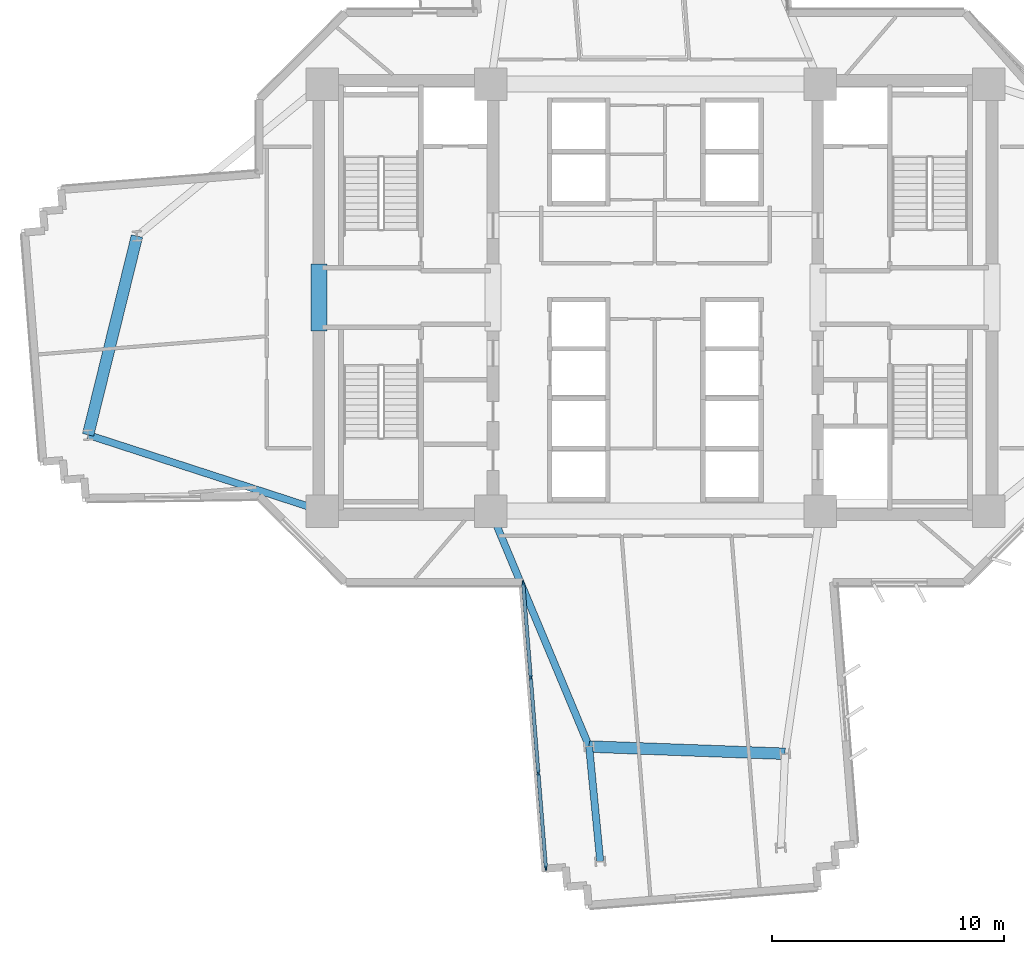
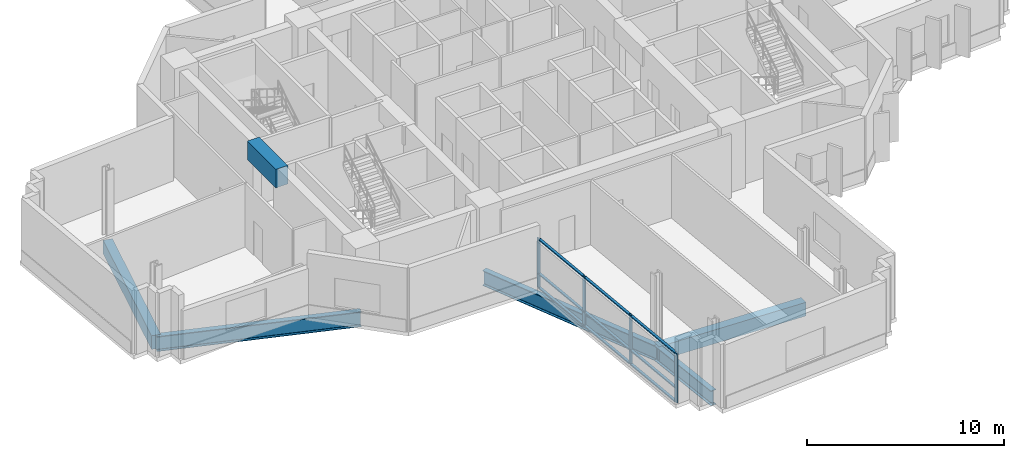
# One storey, part 2 of 15: 13 members, 6 beams, 1 element without a shape of its own.
"""IFC4 building model written with IfcOpenShell, lengths in metres."""

import ifcopenshell
import ifcopenshell.guid

model = None  # the IFC model being written
_history = None  # IfcOwnerHistory: only IFC2X3 demands one
_inside = {}  # id of a spatial element -> (the spatial element, [elements in it])
_under = {}  # id of a project, library or spatial element -> (it, [spatial elements below it])
_declared = {}  # id of a project -> (the project, [libraries it declares])
_typed = {}  # id of a type object -> (the type object, [elements of that type])
_made_of = {}  # id of a material, layer set ... -> (it, [elements and type objects made of it])


def new_model(schema):
    """Start an empty IFC model of exactly this schema.

    Asked for "IFC4X3", IfcOpenShell would pick the latest addendum, in which some entities
    have other attributes; the version numbers below select the first issue.
    IFC2X3 requires an IfcOwnerHistory on every rooted entity: one is made here for all.
    """
    global model, _history
    if schema == "IFC4X3":
        model = ifcopenshell.file(schema_version=(4, 3, 0, 0))
    else:
        model = ifcopenshell.file(schema=schema)
    _inside.clear()
    _under.clear()
    _declared.clear()
    _typed.clear()
    _made_of.clear()
    _history = None
    if model.schema == "IFC2X3":
        org = make("IfcOrganization", Name="unknown")
        user = make(
            "IfcPersonAndOrganization",
            ThePerson=make("IfcPerson", FamilyName="unknown"),
            TheOrganization=org,
        )
        app = make(
            "IfcApplication",
            ApplicationDeveloper=org,
            Version="unknown",
            ApplicationFullName="unknown",
            ApplicationIdentifier="unknown",
        )
        _history = make(
            "IfcOwnerHistory",
            OwningUser=user,
            OwningApplication=app,
            ChangeAction="ADDED",
            CreationDate=0,
        )
    return model


def make(cls, **values):
    """One entity of the class cls with the attributes given. An attribute that is None is left unset."""
    return model.create_entity(
        cls, **{name: value for name, value in values.items() if value is not None}
    )


def rooted(cls, **values):
    """An entity with a GlobalId (a new one), such as an element, a storey or a relation."""
    return make(cls, GlobalId=ifcopenshell.guid.new(), OwnerHistory=_history, **values)


def si_unit(unit_type, name, prefix=None):
    """IfcSIUnit, for example si_unit("LENGTHUNIT", "METRE", prefix="MILLI")."""
    return make("IfcSIUnit", UnitType=unit_type, Prefix=prefix, Name=name)


def assignment(units):
    """IfcUnitAssignment: the units of a project."""
    return None if units is None else make("IfcUnitAssignment", Units=units)


def point(xyz):
    """IfcCartesianPoint."""
    return None if xyz is None else make("IfcCartesianPoint", Coordinates=xyz)


def direction(xyz):
    """IfcDirection."""
    return None if xyz is None else make("IfcDirection", DirectionRatios=xyz)


def frame(location, z_axis=None, x_axis=None):
    """IfcAxis2Placement3D, a coordinate frame: its origin and axes. An axis left out is left unset."""
    return make(
        "IfcAxis2Placement3D",
        Location=point(location),
        Axis=direction(z_axis),
        RefDirection=direction(x_axis),
    )


def frame_2d(location, x_axis=None):
    """IfcAxis2Placement2D, a coordinate frame in the plane: its origin and x axis."""
    return make(
        "IfcAxis2Placement2D", Location=point(location), RefDirection=direction(x_axis)
    )


def origin():
    """The frame at (0, 0, 0) with its axes left unset."""
    return frame((0.0, 0.0, 0.0))


def origin_2d():
    """The frame at (0, 0) in the plane with its x axis left unset."""
    return frame_2d((0.0, 0.0))


def place(relative_to, where):
    """IfcLocalPlacement: puts the frame where relative to a parent placement (None: the world)."""
    return make(
        "IfcLocalPlacement", PlacementRelTo=relative_to, RelativePlacement=where
    )


def context(
    kind, dimensions, precision=None, world=None, true_north=None, identifier=None
):
    """IfcGeometricRepresentationContext, for example the 3D "Model" context."""
    return make(
        "IfcGeometricRepresentationContext",
        ContextIdentifier=identifier,
        ContextType=kind,
        CoordinateSpaceDimension=dimensions,
        Precision=precision,
        WorldCoordinateSystem=world,
        TrueNorth=true_north,
    )


def subcontext(parent, identifier, kind, view, scale=None):
    """IfcGeometricRepresentationSubContext, for example "Body" below "Model"."""
    return make(
        "IfcGeometricRepresentationSubContext",
        ContextIdentifier=identifier,
        ContextType=kind,
        ParentContext=parent,
        TargetScale=scale,
        TargetView=view,
    )


def project(units=None, contexts=None):
    """IfcProject with its units and contexts."""
    return rooted(
        "IfcProject",
        Name="project",
        RepresentationContexts=contexts,
        UnitsInContext=assignment(units),
    )


def spatial(cls, under=None, at=None, **own):
    """A site, building, storey or space (cls), placed at a placement, below another one or the project."""
    s = rooted(cls, ObjectPlacement=at, **own)
    if under is not None:
        _under.setdefault(under.id(), (under, []))[1].append(s)
    return s


def profile(cls, at=None, kind="AREA", **sizes):
    """A parametric profile (cls). Its sizes go by their IFC names, for example OverallWidth=200.0."""
    return make(cls, ProfileType=kind, Position=at, **sizes)


def rectangle(**sizes):
    """IfcRectangleProfileDef."""
    return profile("IfcRectangleProfileDef", **sizes)


def i_section(**sizes):
    """IfcIShapeProfileDef."""
    return profile("IfcIShapeProfileDef", **sizes)


def extrude(swept, where, along, depth):
    """IfcExtrudedAreaSolid: the profile swept, set in the frame where, extruded along a direction by depth."""
    return make(
        "IfcExtrudedAreaSolid",
        SweptArea=swept,
        Position=where,
        ExtrudedDirection=direction(along),
        Depth=depth,
    )


def shape(context_of_items, identifier, shape_type, items):
    """IfcShapeRepresentation: the items that make up one representation, for example the "Body"."""
    return make(
        "IfcShapeRepresentation",
        ContextOfItems=context_of_items,
        RepresentationIdentifier=identifier,
        RepresentationType=shape_type,
        Items=items,
    )


def source(mapping_origin, context_of_items, identifier, shape_type, items):
    """IfcRepresentationMap: a shape defined once, which mapped items show again and again."""
    return make(
        "IfcRepresentationMap",
        MappingOrigin=mapping_origin,
        MappedRepresentation=shape(context_of_items, identifier, shape_type, items),
    )


def transform(
    local_origin,
    x_axis=None,
    y_axis=None,
    z_axis=None,
    scale=None,
    scale2=None,
    scale3=None,
    uniform=True,
):
    """IfcCartesianTransformationOperator3D, or its non-uniform kind. x_axis, y_axis, z_axis: its Axis1, 2, 3."""
    if uniform:
        return make(
            "IfcCartesianTransformationOperator3D",
            Axis1=direction(x_axis),
            Axis2=direction(y_axis),
            LocalOrigin=point(local_origin),
            Scale=scale,
            Axis3=direction(z_axis),
        )
    return make(
        "IfcCartesianTransformationOperator3DnonUniform",
        Axis1=direction(x_axis),
        Axis2=direction(y_axis),
        LocalOrigin=point(local_origin),
        Scale=scale,
        Axis3=direction(z_axis),
        Scale2=scale2,
        Scale3=scale3,
    )


def mapped(mapping_source, mapping_target):
    """IfcMappedItem: shows the shape of a source again, moved by a transform."""
    return make(
        "IfcMappedItem", MappingSource=mapping_source, MappingTarget=mapping_target
    )


def material(Name=None, Category=None):
    """IfcMaterial."""
    return make("IfcMaterial", Name=Name, Category=Category)


def layer(
    of_material, thickness, ventilated=None, Name=None, Category=None, Priority=None
):
    """IfcMaterialLayer: one layer of a wall or slab, of a material (None: an air gap)."""
    return make(
        "IfcMaterialLayer",
        Material=of_material,
        LayerThickness=thickness,
        IsVentilated=ventilated,
        Name=Name,
        Category=Category,
        Priority=Priority,
    )


def layer_set(layers, Name=None):
    """IfcMaterialLayerSet."""
    return make("IfcMaterialLayerSet", MaterialLayers=layers, LayerSetName=Name)


def material_profile(
    of_material, cross_section, Name=None, Category=None, Priority=None
):
    """IfcMaterialProfile: a cross section and its material."""
    return make(
        "IfcMaterialProfile",
        Name=Name,
        Material=of_material,
        Profile=cross_section,
        Priority=Priority,
        Category=Category,
    )


def profile_set(profiles, Name=None, composite=None):
    """IfcMaterialProfileSet."""
    return make(
        "IfcMaterialProfileSet",
        Name=Name,
        MaterialProfiles=profiles,
        CompositeProfile=composite,
    )


def made_of(thing, what):
    """Note that an element or type object is made of a material, layer set ...; save() writes the relation."""
    if what is not None:
        _made_of.setdefault(what.id(), (what, []))[1].append(thing)
    return thing


def type_object(cls, material=None, **own):
    """A type object (cls), such as IfcWallType, which elements share."""
    return made_of(rooted(cls, **own), material)


def element(
    cls,
    number,
    at=None,
    inside=None,
    cuts=None,
    type_object=None,
    material=None,
    context=None,
    identifier="Body",
    shape_type=None,
    held_by="IfcProductDefinitionShape",
    body=None,
    shapes=None,
    **own,
):
    """One element of the class cls, such as IfcWall. Its Tag is "e" and its number.

    at: its placement. inside: the storey or other place that contains it. cuts: it is an
    opening in that element (IfcRelVoidsElement). A single representation is given by context,
    identifier, shape_type and body (its items); several are given by shapes. held_by: the class
    of the entity that holds the representations. save() writes the other relations.
    """
    e = rooted(cls, Tag="e%d" % number, ObjectPlacement=at, **own)
    if body is not None:
        shapes = [shape(context, identifier, shape_type, body)]
    if shapes is not None:
        e.Representation = make(held_by, Representations=shapes)
    if inside is not None:
        _inside.setdefault(inside.id(), (inside, []))[1].append(e)
    if cuts is not None:
        rooted(
            "IfcRelVoidsElement", RelatingBuildingElement=cuts, RelatedOpeningElement=e
        )
    if type_object is not None:
        _typed.setdefault(type_object.id(), (type_object, []))[1].append(e)
    return made_of(e, material)


def aggregate(whole, parts):
    """IfcRelAggregates: a whole, such as a stair, and the parts it consists of."""
    return rooted("IfcRelAggregates", RelatingObject=whole, RelatedObjects=parts)


def save(model, path):
    """Write the relations noted so far, then the file.

    IfcRelAggregates (storeys below a building ...), IfcRelContainedInSpatialStructure (elements
    in a storey), IfcRelDefinesByType, IfcRelAssociatesMaterial and IfcRelDeclares: one each for
    every whole, place, type object, material and project.
    """
    for whole, parts in _under.values():
        aggregate(whole, parts)
    for where, things in _inside.values():
        rooted(
            "IfcRelContainedInSpatialStructure",
            RelatedElements=things,
            RelatingStructure=where,
        )
    for kind, things in _typed.values():
        rooted("IfcRelDefinesByType", RelatedObjects=things, RelatingType=kind)
    for what, things in _made_of.values():
        rooted("IfcRelAssociatesMaterial", RelatedObjects=things, RelatingMaterial=what)
    for by, libraries in _declared.values():
        rooted("IfcRelDeclares", RelatingContext=by, RelatedDefinitions=libraries)
    model.write(path)


model = new_model("IFC4")

# Units and contexts
model_context = context("Model", 3, precision=1e-05, world=origin(), true_north=direction((0.0, 1.0)))
body_context = subcontext(model_context, "Body", "Model", "MODEL_VIEW")
ifc_project = project(units=[si_unit("LENGTHUNIT", "METRE"), si_unit("AREAUNIT", "SQUARE_METRE"), si_unit("VOLUMEUNIT", "CUBIC_METRE"), si_unit("PLANEANGLEUNIT", "RADIAN"), si_unit("MASSUNIT", "GRAM", prefix="KILO")], contexts=[model_context])

# Site, building, storey
site_placement = place(None, origin())
site = spatial("IfcSite", under=ifc_project, at=site_placement, CompositionType="ELEMENT")
building_placement = place(site_placement, origin())
building = spatial("IfcBuilding", under=site, at=building_placement, Name="Zahravan Cultural Tower", CompositionType="ELEMENT")
storey_placement = place(building_placement, frame((0.0, 0.0, 83.699951171875)))
storey = spatial("IfcBuildingStorey", under=building, at=storey_placement, Name="L18", CompositionType="ELEMENT", Elevation=83.699951171875)

# Beams
ifc_material_1 = material(Name="Concrete C50/60", Category="concrete")
ifc_material_profile_1 = material_profile(ifc_material_1, rectangle(XDim=0.699951171875, YDim=1.14990234375, at=origin_2d()), Name="RC700X1150")
ifc_profile_set_1 = profile_set([ifc_material_profile_1], Name="Concrete C50/60")
beam_type_1 = type_object("IfcBeamType", Name="BM-LN-RC700X1150", PredefinedType="LINTEL", material=ifc_profile_set_1)
shared_shape_1 = source(origin(), body_context, "Body", "SweptSolid", [
    extrude(rectangle(XDim=0.699951171875, YDim=1.14990234375, at=origin_2d()), origin(), (0.0, 0.0, 1.0), 2.89990234375),
])
beam_1_placement = place(storey_placement, frame((21.5, 25.550048828125, 3.375), z_axis=(0.0, 1.0, 0.0), x_axis=(-1.0, 0.0, 0.0)))
element("IfcBeam", 1, at=beam_1_placement, inside=storey, type_object=beam_type_1, Name="L18 Beam LN-L18-PWW", PredefinedType="LINTEL", context=body_context, shape_type="MappedRepresentation", body=[
    mapped(shared_shape_1, transform((0.0, 0.0, 0.0), x_axis=(1.0, 0.0, 0.0), y_axis=(0.0, 1.0, 0.0), z_axis=(0.0, 0.0, 1.0), scale=1.0)),
])
ifc_material_2 = material(Name="Steel ASTM A992 Grade 50", Category="steel")
ifc_material_profile_2 = material_profile(ifc_material_2, i_section(OverallWidth=0.30908203125, OverallDepth=0.931884765625, WebThickness=0.02099609375, FlangeThickness=0.034423828125, FilletRadius=0.02392578125, at=origin_2d()), Name="W36X210")
ifc_profile_set_2 = profile_set([ifc_material_profile_2], Name="Steel ASTM A992 Grade 50")
beam_type_2 = type_object("IfcBeamType", Name="BM-G-W36X210", PredefinedType="BEAM", material=ifc_profile_set_2)
shared_shape_2 = source(origin(), body_context, "Body", "SweptSolid", [
    extrude(i_section(OverallWidth=0.30908203125, OverallDepth=0.931884765625, WebThickness=0.02099609375, FlangeThickness=0.034423828125, FilletRadius=0.02392578125, at=origin_2d()), origin(), (0.0, 0.0, 1.0), 10.615966796875),
])
beam_2_placement = place(storey_placement, frame((21.64990234375, 17.800048828125, -0.716064453125), z_axis=(-0.951063640083, 0.30899506875, 0.0), x_axis=(-0.30899506875, -0.951063640083, 0.0)))
element("IfcBeam", 2, at=beam_2_placement, inside=storey, type_object=beam_type_2, Name="L18 Beam BG-L18-07", PredefinedType="BEAM", context=body_context, shape_type="MappedRepresentation", body=[
    mapped(shared_shape_2, transform((0.0, 0.0, 0.0), x_axis=(1.0, 0.0, 0.0), y_axis=(0.0, 1.0, 0.0), z_axis=(0.0, 0.0, 1.0), scale=1.0)),
])
shared_shape_3 = source(origin(), body_context, "Body", "SweptSolid", [
    extrude(i_section(OverallWidth=0.30908203125, OverallDepth=0.931884765625, WebThickness=0.02099609375, FlangeThickness=0.034423828125, FilletRadius=0.02392578125, at=origin_2d()), origin(), (0.0, 0.0, 1.0), 10.997802734375),
])
beam_3_placement = place(storey_placement, frame((28.89990234375, 17.800048828125, -0.716064453125), z_axis=(0.385775211449, -0.922592806297, 0.0), x_axis=(0.922592806297, 0.385775211449, 0.0)))
element("IfcBeam", 3, at=beam_3_placement, inside=storey, type_object=beam_type_2, Name="L18 Beam BG-L18-08", PredefinedType="BEAM", context=body_context, shape_type="MappedRepresentation", body=[
    mapped(shared_shape_3, transform((0.0, 0.0, 0.0), x_axis=(1.0, 0.0, 0.0), y_axis=(0.0, 1.0, 0.0), z_axis=(0.0, 0.0, 1.0), scale=1.0)),
])
shared_shape_4 = source(origin(), body_context, "Body", "SweptSolid", [
    extrude(i_section(OverallWidth=0.30908203125, OverallDepth=0.931884765625, WebThickness=0.02099609375, FlangeThickness=0.034423828125, FilletRadius=0.02392578125, at=origin_2d()), origin(), (0.0, 0.0, 1.0), 4.973876953125),
])
beam_4_placement = place(storey_placement, frame((33.142578125, 7.653564453125, -0.716064453125), z_axis=(0.096154779131, -0.995366394073, 0.0), x_axis=(0.995366394073, 0.096154779131, 0.0)))
element("IfcBeam", 4, at=beam_4_placement, inside=storey, type_object=beam_type_2, Name="L18 Beam BG-L18-17", PredefinedType="BEAM", context=body_context, shape_type="MappedRepresentation", body=[
    mapped(shared_shape_4, transform((0.0, 0.0, 0.0), x_axis=(1.0, 0.0, 0.0), y_axis=(0.0, 1.0, 0.0), z_axis=(0.0, 0.0, 1.0), scale=1.0)),
])
ifc_material_profile_3 = material_profile(ifc_material_1, rectangle(XDim=0.5, YDim=0.85009765625, at=origin_2d()), Name="RC500X850")
ifc_profile_set_3 = profile_set([ifc_material_profile_3], Name="Concrete C50/60")
beam_type_3 = type_object("IfcBeamType", Name="BM-SP-RC500X850", PredefinedType="SPANDREL", material=ifc_profile_set_3)
shared_shape_5 = source(origin(), body_context, "Body", "SweptSolid", [
    extrude(rectangle(XDim=0.5, YDim=0.85009765625, at=origin_2d()), origin(), (0.0, 0.0, 1.0), 8.4482421875),
])
beam_5_placement = place(storey_placement, frame((33.142578125, 7.653564453125, -0.675048828125), z_axis=(0.999318826256, -0.036903705643, 0.0), x_axis=(0.036903705643, 0.999318826256, 0.0)))
element("IfcBeam", 5, at=beam_5_placement, inside=storey, type_object=beam_type_3, Name="L18 Beam SP-L18-19", PredefinedType="SPANDREL", context=body_context, shape_type="MappedRepresentation", body=[
    mapped(shared_shape_5, transform((0.0, 0.0, 0.0), x_axis=(1.0, 0.0, 0.0), y_axis=(0.0, 1.0, 0.0), z_axis=(0.0, 0.0, 1.0), scale=1.0)),
])
shared_shape_6 = source(origin(), body_context, "Body", "SweptSolid", [
    extrude(rectangle(XDim=0.5, YDim=0.85009765625, at=origin_2d()), origin(), (0.0, 0.0, 1.0), 8.8232421875),
])
beam_6_placement = place(storey_placement, frame((13.660888671875, 29.648193359375, -0.675048828125), z_axis=(-0.238848860516, -0.971056755206, 0.0), x_axis=(0.971056755206, -0.238848860516, 0.0)))
element("IfcBeam", 6, at=beam_6_placement, inside=storey, type_object=beam_type_3, Name="L18 Beam SP-L18-22", PredefinedType="SPANDREL", context=body_context, shape_type="MappedRepresentation", body=[
    mapped(shared_shape_6, transform((0.0, 0.0, 0.0), x_axis=(1.0, 0.0, 0.0), y_axis=(0.0, 1.0, 0.0), z_axis=(0.0, 0.0, 1.0), scale=1.0)),
])

# Curtain wall, members
ifc_material_3 = material(Name="Anodised bronze-aluminium mullion", Category="aluminium")
ifc_layer = layer(ifc_material_3, 0.199951171875)
ifc_layer_set = layer_set([ifc_layer], Name="Anodised bronze-aluminium mullion")
curtain_wall_type = type_object("IfcCurtainWallType", Name="CW-SYS-2", PredefinedType="USERDEFINED", material=ifc_layer_set)
curtain_wall_placement = place(storey_placement, origin())
curtain_wall = element("IfcCurtainWall", 7, at=curtain_wall_placement, inside=storey, type_object=curtain_wall_type, Name="L18 Recessed Curtain Wall CW-2.1", ObjectType="RECESSED GLAZING", PredefinedType="USERDEFINED")
ifc_material_profile_4 = material_profile(ifc_material_3, rectangle(XDim=0.074951171875, YDim=0.199951171875, at=origin_2d()), Name="AL-M75X200")
ifc_profile_set_4 = profile_set([ifc_material_profile_4], Name="Anodised bronze-aluminium mullion")
member_type_1 = type_object("IfcMemberType", Name="CWM-CW-2", PredefinedType="MULLION", material=ifc_profile_set_4)
shared_shape_7 = source(origin(), body_context, "Body", "SweptSolid", [
    extrude(rectangle(XDim=0.074951171875, YDim=0.199951171875, at=origin_2d()), origin(), (0.0, 0.0, 1.0), 3.070068359375),
])
member_1_placement = place(storey_placement, frame((31.27880859375, 2.42431640625, 0.0), z_axis=(0.0, 0.0, 1.0), x_axis=(-0.996834749139, -0.079501464817, 0.0)))
member_1 = element("IfcMember", 8, at=member_1_placement, type_object=member_type_1, Name="CW-2 mullion 1", PredefinedType="MULLION", context=body_context, shape_type="MappedRepresentation", body=[
    mapped(shared_shape_7, transform((0.0, 0.0, 0.0), x_axis=(1.0, 0.0, 0.0), y_axis=(0.0, 1.0, 0.0), z_axis=(0.0, 0.0, 1.0), scale=1.0)),
])
member_2_placement = place(storey_placement, frame((30.953369140625, 6.504638671875, 0.0), z_axis=(0.0, 0.0, 1.0), x_axis=(-0.996834749139, -0.079501464817, 0.0)))
member_2 = element("IfcMember", 9, at=member_2_placement, type_object=member_type_1, Name="CW-2 mullion 2", PredefinedType="MULLION", context=body_context, shape_type="MappedRepresentation", body=[
    mapped(shared_shape_7, transform((0.0, 0.0, 0.0), x_axis=(1.0, 0.0, 0.0), y_axis=(0.0, 1.0, 0.0), z_axis=(0.0, 0.0, 1.0), scale=1.0)),
])
member_3_placement = place(storey_placement, frame((30.625, 10.622314453125, 0.0), z_axis=(0.0, 0.0, 1.0), x_axis=(-0.996834749139, -0.079501464817, 0.0)))
member_3 = element("IfcMember", 10, at=member_3_placement, type_object=member_type_1, Name="CW-2 mullion 3", PredefinedType="MULLION", context=body_context, shape_type="MappedRepresentation", body=[
    mapped(shared_shape_7, transform((0.0, 0.0, 0.0), x_axis=(1.0, 0.0, 0.0), y_axis=(0.0, 1.0, 0.0), z_axis=(0.0, 0.0, 1.0), scale=1.0)),
])
member_4_placement = place(storey_placement, frame((30.299560546875, 14.70263671875, 0.0), z_axis=(0.0, 0.0, 1.0), x_axis=(-0.996834749139, -0.079501464817, 0.0)))
member_4 = element("IfcMember", 11, at=member_4_placement, type_object=member_type_1, Name="CW-2 mullion 4", PredefinedType="MULLION", context=body_context, shape_type="MappedRepresentation", body=[
    mapped(shared_shape_7, transform((0.0, 0.0, 0.0), x_axis=(1.0, 0.0, 0.0), y_axis=(0.0, 1.0, 0.0), z_axis=(0.0, 0.0, 1.0), scale=1.0)),
])
ifc_material_profile_5 = material_profile(ifc_material_3, rectangle(XDim=0.14990234375, YDim=0.074951171875, at=origin_2d()), Name="AL-T75X150")
ifc_profile_set_5 = profile_set([ifc_material_profile_5], Name="Anodised bronze-aluminium mullion")
member_type_2 = type_object("IfcMemberType", Name="CWT-CW-2", PredefinedType="USERDEFINED", material=ifc_profile_set_5)
shared_shape_8 = source(origin(), body_context, "Body", "SweptSolid", [
    extrude(rectangle(XDim=0.14990234375, YDim=0.074951171875, at=origin_2d()), origin(), (0.0, 0.0, 1.0), 4.018310546875),
])
member_5_placement = place(storey_placement, frame((31.27587890625, 2.461669921875, 0.03759765625), z_axis=(-0.079530302643, 0.99683244879, 0.0), x_axis=(-0.99683244879, -0.079530302643, 0.0)))
member_5 = element("IfcMember", 12, at=member_5_placement, type_object=member_type_2, Name="CW-2 transom 1.1", ObjectType="TRANSOM", PredefinedType="USERDEFINED", context=body_context, shape_type="MappedRepresentation", body=[
    mapped(shared_shape_8, transform((0.0, 0.0, 0.0), x_axis=(1.0, 0.0, 0.0), y_axis=(0.0, 1.0, 0.0), z_axis=(0.0, 0.0, 1.0), scale=1.0)),
])
member_6_placement = place(storey_placement, frame((31.27587890625, 2.461669921875, 0.900146484375), z_axis=(-0.079530302643, 0.99683244879, 0.0), x_axis=(-0.99683244879, -0.079530302643, 0.0)))
member_6 = element("IfcMember", 13, at=member_6_placement, type_object=member_type_2, Name="CW-2 transom 1.2", ObjectType="TRANSOM", PredefinedType="USERDEFINED", context=body_context, shape_type="MappedRepresentation", body=[
    mapped(shared_shape_8, transform((0.0, 0.0, 0.0), x_axis=(1.0, 0.0, 0.0), y_axis=(0.0, 1.0, 0.0), z_axis=(0.0, 0.0, 1.0), scale=1.0)),
])
member_7_placement = place(storey_placement, frame((31.27587890625, 2.461669921875, 3.032470703125), z_axis=(-0.079530302643, 0.99683244879, 0.0), x_axis=(-0.99683244879, -0.079530302643, 0.0)))
member_7 = element("IfcMember", 14, at=member_7_placement, type_object=member_type_2, Name="CW-2 transom 1.3", ObjectType="TRANSOM", PredefinedType="USERDEFINED", context=body_context, shape_type="MappedRepresentation", body=[
    mapped(shared_shape_8, transform((0.0, 0.0, 0.0), x_axis=(1.0, 0.0, 0.0), y_axis=(0.0, 1.0, 0.0), z_axis=(0.0, 0.0, 1.0), scale=1.0)),
])
member_8_placement = place(storey_placement, frame((30.6220703125, 10.65966796875, 0.03759765625), z_axis=(-0.079530302643, 0.99683244879, 0.0), x_axis=(-0.99683244879, -0.079530302643, 0.0)))
member_8 = element("IfcMember", 15, at=member_8_placement, type_object=member_type_2, Name="CW-2 transom 3.1", ObjectType="TRANSOM", PredefinedType="USERDEFINED", context=body_context, shape_type="MappedRepresentation", body=[
    mapped(shared_shape_8, transform((0.0, 0.0, 0.0), x_axis=(1.0, 0.0, 0.0), y_axis=(0.0, 1.0, 0.0), z_axis=(0.0, 0.0, 1.0), scale=1.0)),
])
member_9_placement = place(storey_placement, frame((30.6220703125, 10.65966796875, 0.900146484375), z_axis=(-0.079530302643, 0.99683244879, 0.0), x_axis=(-0.99683244879, -0.079530302643, 0.0)))
member_9 = element("IfcMember", 16, at=member_9_placement, type_object=member_type_2, Name="CW-2 transom 3.2", ObjectType="TRANSOM", PredefinedType="USERDEFINED", context=body_context, shape_type="MappedRepresentation", body=[
    mapped(shared_shape_8, transform((0.0, 0.0, 0.0), x_axis=(1.0, 0.0, 0.0), y_axis=(0.0, 1.0, 0.0), z_axis=(0.0, 0.0, 1.0), scale=1.0)),
])
member_10_placement = place(storey_placement, frame((30.6220703125, 10.65966796875, 3.032470703125), z_axis=(-0.079530302643, 0.99683244879, 0.0), x_axis=(-0.99683244879, -0.079530302643, 0.0)))
member_10 = element("IfcMember", 17, at=member_10_placement, type_object=member_type_2, Name="CW-2 transom 3.3", ObjectType="TRANSOM", PredefinedType="USERDEFINED", context=body_context, shape_type="MappedRepresentation", body=[
    mapped(shared_shape_8, transform((0.0, 0.0, 0.0), x_axis=(1.0, 0.0, 0.0), y_axis=(0.0, 1.0, 0.0), z_axis=(0.0, 0.0, 1.0), scale=1.0)),
])
shared_shape_9 = source(origin(), body_context, "Body", "SweptSolid", [
    extrude(rectangle(XDim=0.14990234375, YDim=0.074951171875, at=origin_2d()), origin(), (0.0, 0.0, 1.0), 4.055908203125),
])
member_11_placement = place(storey_placement, frame((30.950439453125, 6.5419921875, 0.03759765625), z_axis=(-0.079517932877, 0.99683343561, 0.0), x_axis=(-0.99683343561, -0.079517932877, 0.0)))
member_11 = element("IfcMember", 18, at=member_11_placement, type_object=member_type_2, Name="CW-2 transom 2.1", ObjectType="TRANSOM", PredefinedType="USERDEFINED", context=body_context, shape_type="MappedRepresentation", body=[
    mapped(shared_shape_9, transform((0.0, 0.0, 0.0), x_axis=(1.0, 0.0, 0.0), y_axis=(0.0, 1.0, 0.0), z_axis=(0.0, 0.0, 1.0), scale=1.0)),
])
member_12_placement = place(storey_placement, frame((30.950439453125, 6.5419921875, 0.900146484375), z_axis=(-0.079517932877, 0.99683343561, 0.0), x_axis=(-0.99683343561, -0.079517932877, 0.0)))
member_12 = element("IfcMember", 19, at=member_12_placement, type_object=member_type_2, Name="CW-2 transom 2.2", ObjectType="TRANSOM", PredefinedType="USERDEFINED", context=body_context, shape_type="MappedRepresentation", body=[
    mapped(shared_shape_9, transform((0.0, 0.0, 0.0), x_axis=(1.0, 0.0, 0.0), y_axis=(0.0, 1.0, 0.0), z_axis=(0.0, 0.0, 1.0), scale=1.0)),
])
member_13_placement = place(storey_placement, frame((30.950439453125, 6.5419921875, 3.032470703125), z_axis=(-0.079517932877, 0.99683343561, 0.0), x_axis=(-0.99683343561, -0.079517932877, 0.0)))
member_13 = element("IfcMember", 20, at=member_13_placement, type_object=member_type_2, Name="CW-2 transom 2.3", ObjectType="TRANSOM", PredefinedType="USERDEFINED", context=body_context, shape_type="MappedRepresentation", body=[
    mapped(shared_shape_9, transform((0.0, 0.0, 0.0), x_axis=(1.0, 0.0, 0.0), y_axis=(0.0, 1.0, 0.0), z_axis=(0.0, 0.0, 1.0), scale=1.0)),
])
aggregate(curtain_wall, [member_1, member_2, member_3, member_4, member_5, member_6, member_7, member_11, member_12, member_13, member_8, member_9, member_10])

save(model, "model.ifc")
